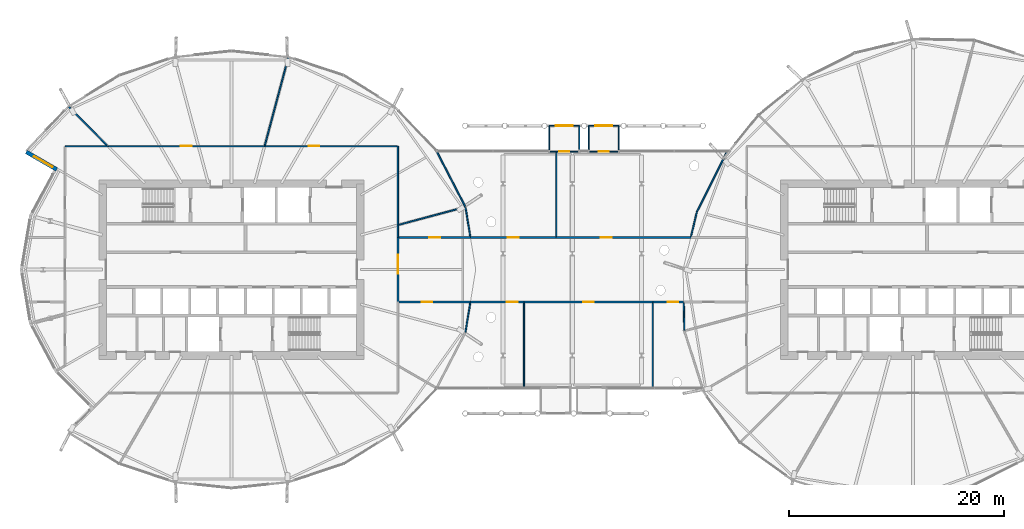
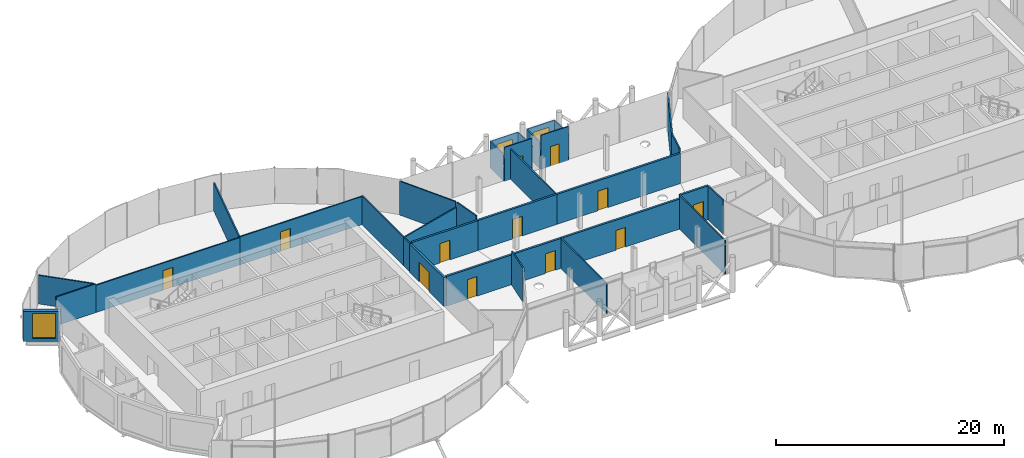
# One storey, part 26 of 40: 34 walls, 12 doors, 3 windows, 15 openings.
"""IFC4 building model written with IfcOpenShell, lengths in metres."""

from ifc_helpers import new_model, si_unit, direction, frame, frame_2d, origin, place, context, subcontext, project, spatial, rectangle, extrude, material, layer, layer_set, type_object, element, fill, save


model = new_model("IFC4")

# Units and contexts
model_context = context("Model", 3, precision=1e-05, world=origin(), true_north=direction((0.0, 1.0)))
body_context = subcontext(model_context, "Body", "Model", "MODEL_VIEW")
ifc_project = project(units=[si_unit("LENGTHUNIT", "METRE"), si_unit("AREAUNIT", "SQUARE_METRE"), si_unit("VOLUMEUNIT", "CUBIC_METRE"), si_unit("PLANEANGLEUNIT", "RADIAN"), si_unit("MASSUNIT", "GRAM", prefix="KILO")], contexts=[model_context])

# Site, building, storey
site_placement = place(None, origin())
site = spatial("IfcSite", under=ifc_project, at=site_placement, CompositionType="ELEMENT")
building_placement = place(site_placement, origin())
building = spatial("IfcBuilding", under=site, at=building_placement, Name="Rimbun Link Towers", CompositionType="ELEMENT")
storey_placement = place(building_placement, frame((0.0, 0.0, 150.60009765625)))
storey = spatial("IfcBuildingStorey", under=building, at=storey_placement, Name="L36", CompositionType="ELEMENT", Elevation=150.60009765625)

# Wall
ifc_material_1 = material(Name="Terracotta-faced insulated sandwich panel", Category="masonry")
ifc_layer_1 = layer(ifc_material_1, 0.10009765625)
ifc_layer_set_1 = layer_set([ifc_layer_1], Name="CAPSULE shell panel 100")
wall_type_1 = type_object("IfcWallType", Name="CAPSULE shell panel 100", PredefinedType="STANDARD", material=ifc_layer_set_1)
wall_1_placement = place(storey_placement, frame((0.646728515625, 11.0, -0.06005859375), z_axis=(0.0, 0.0, 1.0), x_axis=(0.0, 1.0, 0.0)))
element("IfcWall", 1, at=wall_1_placement, inside=storey, type_object=wall_type_1, Name="CAPSULE F36.01 shell panel 1", PredefinedType="STANDARD", context=body_context, shape_type="SweptSolid", body=[
    extrude(rectangle(XDim=2.39990234375, YDim=0.10009765625, at=frame_2d((1.199951171875, 0.0))), origin(), (0.0, 0.0, 1.0), 2.849853515625),
])

# Wall, opening, window
wall_2_placement = place(storey_placement, frame((0.646728515625, 13.39990234375, -0.06005859375), z_axis=(0.0, 0.0, 1.0), x_axis=(-1.0, 0.0, 0.0)))
wall_2 = element("IfcWall", 2, at=wall_2_placement, inside=storey, type_object=wall_type_1, Name="CAPSULE F36.01 shell panel 2", PredefinedType="STANDARD", context=body_context, shape_type="SweptSolid", body=[
    extrude(rectangle(XDim=2.800048828125, YDim=0.10009765625, at=frame_2d((1.39990234375, 0.0))), origin(), (0.0, 0.0, 1.0), 2.849853515625),
])
opening_1_placement = place(wall_2_placement, frame((0.60009765625, 0.0, 0.89990234375)))
opening_1 = element("IfcOpeningElement", 3, at=opening_1_placement, cuts=wall_2, Name="Opening CN36.01", PredefinedType="OPENING", context=body_context, shape_type="SweptSolid", body=[
    extrude(rectangle(XDim=1.60009765625, YDim=1.39990234375, at=frame_2d((0.800048828125, 0.699951171875))), frame((0.0, 0.06005859375, 0.0), z_axis=(0.0, -1.0, 0.0), x_axis=(1.0, 0.0, 0.0)), (0.0, 0.0, 1.0), 0.1201171875),
])
ifc_material_2 = material(Name="Aluminium framed window, low-iron glass", Category="aluminium")
window_type_1 = type_object("IfcWindowType", Name="CAPSULE window 1600X1400", PartitioningType="SINGLE_PANEL", PredefinedType="WINDOW", material=ifc_material_2)
window_1_placement = place(opening_1_placement, origin())
window_1 = element("IfcWindow", 4, at=window_1_placement, inside=storey, type_object=window_type_1, Name="CAPSULE F36.01 window", OverallHeight=1.39990234375, OverallWidth=1.60009765625, PartitioningType="SINGLE_PANEL", PredefinedType="WINDOW", context=body_context, shape_type="SweptSolid", body=[
    extrude(rectangle(XDim=1.60009765625, YDim=1.39990234375, at=frame_2d((0.800048828125, 0.699951171875))), frame((0.0, 0.030029296875, 0.0), z_axis=(0.0, -1.0, 0.0), x_axis=(1.0, 0.0, 0.0)), (0.0, 0.0, 1.0), 0.06005859375),
])
fill(opening_1, window_1)

# Wall
wall_3_placement = place(storey_placement, frame((-2.1533203125, 13.39990234375, -0.06005859375), z_axis=(0.0, 0.0, 1.0), x_axis=(0.0, -1.0, 0.0)))
element("IfcWall", 5, at=wall_3_placement, inside=storey, type_object=wall_type_1, Name="CAPSULE F36.01 shell panel 3", PredefinedType="STANDARD", context=body_context, shape_type="SweptSolid", body=[
    extrude(rectangle(XDim=2.39990234375, YDim=0.10009765625, at=frame_2d((1.199951171875, 0.0))), origin(), (0.0, 0.0, 1.0), 2.849853515625),
])

# Wall, opening, door
wall_4_placement = place(storey_placement, frame((-2.1533203125, 11.0, -0.06005859375), z_axis=(0.0, 0.0, 1.0), x_axis=(1.0, 0.0, 0.0)))
wall_4 = element("IfcWall", 6, at=wall_4_placement, inside=storey, type_object=wall_type_1, Name="CAPSULE F36.01 shell panel 4", PredefinedType="STANDARD", context=body_context, shape_type="SweptSolid", body=[
    extrude(rectangle(XDim=2.800048828125, YDim=0.10009765625, at=frame_2d((1.39990234375, 0.0))), origin(), (0.0, 0.0, 1.0), 3.639892578125),
])
opening_2_placement = place(wall_4_placement, frame((0.949951171875, 0.0, 0.0)))
opening_2 = element("IfcOpeningElement", 7, at=opening_2_placement, cuts=wall_4, Name="Opening CD36.01", PredefinedType="OPENING", context=body_context, shape_type="SweptSolid", body=[
    extrude(rectangle(XDim=0.89990234375, YDim=2.10009765625, at=frame_2d((0.449951171875, 1.050048828125))), frame((0.0, 0.06005859375, 0.0), z_axis=(0.0, -1.0, 0.0), x_axis=(1.0, 0.0, 0.0)), (0.0, 0.0, 1.0), 0.1201171875),
])
ifc_material_3 = material(Name="Aluminium framed insulated door leaf", Category="aluminium")
door_type_1 = type_object("IfcDoorType", Name="CAPSULE door single leaf 900X2100", OperationType="SINGLE_SWING_LEFT", PredefinedType="DOOR", material=ifc_material_3)
door_1_placement = place(opening_2_placement, origin())
door_1 = element("IfcDoor", 8, at=door_1_placement, inside=storey, type_object=door_type_1, Name="CAPSULE F36.01 door", OperationType="SINGLE_SWING_RIGHT", OverallHeight=2.10009765625, OverallWidth=0.89990234375, PredefinedType="DOOR", context=body_context, shape_type="SweptSolid", body=[
    extrude(rectangle(XDim=0.89990234375, YDim=2.10009765625, at=frame_2d((0.449951171875, 1.050048828125))), frame((0.0, 0.02490234375, 0.0), z_axis=(0.0, -1.0, 0.0), x_axis=(1.0, 0.0, 0.0)), (0.0, 0.0, 1.0), 0.050048828125),
])
fill(opening_2, door_1)

# Wall
wall_5_placement = place(storey_placement, frame((4.336669921875, 11.0, -0.06005859375), z_axis=(0.0, 0.0, 1.0), x_axis=(0.0, 1.0, 0.0)))
element("IfcWall", 9, at=wall_5_placement, inside=storey, type_object=wall_type_1, Name="CAPSULE F36.02 shell panel 1", PredefinedType="STANDARD", context=body_context, shape_type="SweptSolid", body=[
    extrude(rectangle(XDim=2.39990234375, YDim=0.10009765625, at=frame_2d((1.199951171875, 0.0))), origin(), (0.0, 0.0, 1.0), 2.849853515625),
])

# Wall, opening, window
wall_6_placement = place(storey_placement, frame((4.336669921875, 13.39990234375, -0.06005859375), z_axis=(0.0, 0.0, 1.0), x_axis=(-1.0, 0.0, 0.0)))
wall_6 = element("IfcWall", 10, at=wall_6_placement, inside=storey, type_object=wall_type_1, Name="CAPSULE F36.02 shell panel 2", PredefinedType="STANDARD", context=body_context, shape_type="SweptSolid", body=[
    extrude(rectangle(XDim=2.7998046875, YDim=0.10009765625, at=frame_2d((1.39990234375, 0.0))), origin(), (0.0, 0.0, 1.0), 2.849853515625),
])
opening_3_placement = place(wall_6_placement, frame((0.60009765625, 0.0, 0.89990234375)))
opening_3 = element("IfcOpeningElement", 11, at=opening_3_placement, cuts=wall_6, Name="Opening CN36.02", PredefinedType="OPENING", context=body_context, shape_type="SweptSolid", body=[
    extrude(rectangle(XDim=1.60009765625, YDim=1.39990234375, at=frame_2d((0.800048828125, 0.699951171875))), frame((0.0, 0.06005859375, 0.0), z_axis=(0.0, -1.0, 0.0), x_axis=(1.0, 0.0, 0.0)), (0.0, 0.0, 1.0), 0.1201171875),
])
window_2_placement = place(opening_3_placement, origin())
window_2 = element("IfcWindow", 12, at=window_2_placement, inside=storey, type_object=window_type_1, Name="CAPSULE F36.02 window", OverallHeight=1.39990234375, OverallWidth=1.60009765625, PartitioningType="SINGLE_PANEL", PredefinedType="WINDOW", context=body_context, shape_type="SweptSolid", body=[
    extrude(rectangle(XDim=1.60009765625, YDim=1.39990234375, at=frame_2d((0.800048828125, 0.699951171875))), frame((0.0, 0.030029296875, 0.0), z_axis=(0.0, -1.0, 0.0), x_axis=(1.0, 0.0, 0.0)), (0.0, 0.0, 1.0), 0.06005859375),
])
fill(opening_3, window_2)

# Wall
wall_7_placement = place(storey_placement, frame((1.536865234375, 13.39990234375, -0.06005859375), z_axis=(0.0, 0.0, 1.0), x_axis=(0.0, -1.0, 0.0)))
element("IfcWall", 13, at=wall_7_placement, inside=storey, type_object=wall_type_1, Name="CAPSULE F36.02 shell panel 3", PredefinedType="STANDARD", context=body_context, shape_type="SweptSolid", body=[
    extrude(rectangle(XDim=2.39990234375, YDim=0.10009765625, at=frame_2d((1.199951171875, 0.0))), origin(), (0.0, 0.0, 1.0), 2.849853515625),
])

# Wall, opening, door
wall_8_placement = place(storey_placement, frame((1.536865234375, 11.0, -0.06005859375), z_axis=(0.0, 0.0, 1.0), x_axis=(1.0, 0.0, 0.0)))
wall_8 = element("IfcWall", 14, at=wall_8_placement, inside=storey, type_object=wall_type_1, Name="CAPSULE F36.02 shell panel 4", PredefinedType="STANDARD", context=body_context, shape_type="SweptSolid", body=[
    extrude(rectangle(XDim=2.7998046875, YDim=0.10009765625, at=frame_2d((1.39990234375, 0.0))), origin(), (0.0, 0.0, 1.0), 3.639892578125),
])
opening_4_placement = place(wall_8_placement, frame((0.949951171875, 0.0, 0.0)))
opening_4 = element("IfcOpeningElement", 15, at=opening_4_placement, cuts=wall_8, Name="Opening CD36.02", PredefinedType="OPENING", context=body_context, shape_type="SweptSolid", body=[
    extrude(rectangle(XDim=0.89990234375, YDim=2.10009765625, at=frame_2d((0.449951171875, 1.050048828125))), frame((0.0, 0.06005859375, 0.0), z_axis=(0.0, -1.0, 0.0), x_axis=(1.0, 0.0, 0.0)), (0.0, 0.0, 1.0), 0.1201171875),
])
door_2_placement = place(opening_4_placement, origin())
door_2 = element("IfcDoor", 16, at=door_2_placement, inside=storey, type_object=door_type_1, Name="CAPSULE F36.02 door", OperationType="SINGLE_SWING_LEFT", OverallHeight=2.10009765625, OverallWidth=0.89990234375, PredefinedType="DOOR", context=body_context, shape_type="SweptSolid", body=[
    extrude(rectangle(XDim=0.89990234375, YDim=2.10009765625, at=frame_2d((0.449951171875, 1.050048828125))), frame((0.0, 0.02490234375, 0.0), z_axis=(0.0, -1.0, 0.0), x_axis=(1.0, 0.0, 0.0)), (0.0, 0.0, 1.0), 0.050048828125),
])
fill(opening_4, door_2)

# Wall, opening, window
ifc_material_4 = material(Name="Dark enamelled glass spandrel on insulated aluminium backpan", Category="aluminium")
ifc_layer_2 = layer(ifc_material_4, 0.3701171875)
ifc_layer_set_2 = layer_set([ifc_layer_2], Name="CS dark enamelled spandrel wall 370")
wall_type_2 = type_object("IfcWallType", Name="CS dark enamelled spandrel wall 370", PredefinedType="STANDARD", material=ifc_layer_set_2)
wall_9_placement = place(storey_placement, frame((-48.031494140625, 9.324951171875, 0.0), z_axis=(0.0, 0.0, 1.0), x_axis=(-0.866008333849, 0.50002956483, 0.0)))
wall_9 = element("IfcWall", 17, at=wall_9_placement, inside=storey, type_object=wall_type_2, Name="Crease spandrel wall", PredefinedType="STANDARD", context=body_context, shape_type="SweptSolid", body=[
    extrude(rectangle(XDim=3.280029296875, YDim=0.3701171875, at=frame_2d((1.64013671875, 0.0))), origin(), (0.0, 0.0, 1.0), 3.20361328125),
])
opening_5_placement = place(wall_9_placement, frame((0.46240234375, 0.0, 0.300048828125)))
opening_5 = element("IfcOpeningElement", 18, at=opening_5_placement, cuts=wall_9, Name="Opening WR20H270", PredefinedType="OPENING", context=body_context, shape_type="SweptSolid", body=[
    extrude(rectangle(XDim=2.0, YDim=2.699951171875, at=frame_2d((1.0, 1.35009765625))), frame((0.0, 0.195068359375, 0.0), z_axis=(0.0, -1.0, 0.0), x_axis=(1.0, 0.0, 0.0)), (0.0, 0.0, 1.0), 0.39013671875),
])
ifc_material_5 = material(Name="Aluminium framed fixed window, dark tinted low-e glass", Category="aluminium")
window_type_2 = type_object("IfcWindowType", Name="WR ribbon window 2000X2700", PartitioningType="SINGLE_PANEL", PredefinedType="WINDOW", material=ifc_material_5)
window_3_placement = place(opening_5_placement, origin())
window_3 = element("IfcWindow", 19, at=window_3_placement, inside=storey, type_object=window_type_2, Name="Crease ribbon window", OverallHeight=2.699951171875, OverallWidth=2.0, PartitioningType="SINGLE_PANEL", PredefinedType="WINDOW", context=body_context, shape_type="SweptSolid", body=[
    extrude(rectangle(XDim=2.0, YDim=2.699951171875, at=frame_2d((1.0, 1.35009765625))), frame((0.0, 0.030029296875, 0.0), z_axis=(0.0, -1.0, 0.0), x_axis=(1.0, 0.0, 0.0)), (0.0, 0.0, 1.0), 0.06005859375),
])
fill(opening_5, window_3)

# Wall, opening, door
ifc_material_6 = material(Name="Concrete blockwork", Category="masonry")
ifc_layer_3 = layer(ifc_material_6, 0.199951171875)
ifc_layer_set_3 = layer_set([ifc_layer_3], Name="Fire partition 200 blockwork")
wall_type_3 = type_object("IfcWallType", Name="Fire partition 200 blockwork", PredefinedType="PARTITIONING", material=ifc_layer_set_3)
wall_10_placement = place(storey_placement, frame((-1.5, 3.0, 0.0), z_axis=(0.0, 0.0, 1.0), x_axis=(-1.0, 0.0, 0.0)))
wall_10 = element("IfcWall", 20, at=wall_10_placement, inside=storey, type_object=wall_type_3, Name="TW/PW/L36/001", PredefinedType="PARTITIONING", context=body_context, shape_type="SweptSolid", body=[
    extrude(rectangle(XDim=7.98974609375, YDim=0.199951171875, at=frame_2d((3.994873046875, 0.0))), origin(), (0.0, 0.0, 1.0), 3.2138671875),
])
opening_6_placement = place(wall_10_placement, frame((3.4951171875, 0.0, 0.0)))
opening_6 = element("IfcOpeningElement", 21, at=opening_6_placement, cuts=wall_10, Name="Opening TW D36.19", PredefinedType="OPENING", context=body_context, shape_type="SweptSolid", body=[
    extrude(rectangle(XDim=1.0, YDim=2.10009765625, at=frame_2d((0.5, 1.050048828125))), frame((0.0, 0.10986328125, 0.0), z_axis=(0.0, -1.0, 0.0), x_axis=(1.0, 0.0, 0.0)), (0.0, 0.0, 1.0), 0.219970703125),
])
ifc_material_7 = material(Name="Steel fire door set", Category="steel")
door_type_2 = type_object("IfcDoorType", Name="Fire door single leaf 1000 x 2100", OperationType="NOTDEFINED", PredefinedType="DOOR", material=ifc_material_7)
door_3_placement = place(opening_6_placement, origin())
door_3 = element("IfcDoor", 22, at=door_3_placement, inside=storey, type_object=door_type_2, Name="TW/DR/L36/019", OperationType="SINGLE_SWING_RIGHT", OverallHeight=2.10009765625, OverallWidth=1.0, PredefinedType="DOOR", context=body_context, shape_type="SweptSolid", body=[
    extrude(rectangle(XDim=1.0, YDim=2.10009765625, at=frame_2d((0.5, 1.050048828125))), frame((0.0, 0.02490234375, 0.0), z_axis=(0.0, -1.0, 0.0), x_axis=(1.0, 0.0, 0.0)), (0.0, 0.0, 1.0), 0.050048828125),
])
fill(opening_6, door_3)

wall_11_placement = place(storey_placement, frame((11.0361328125, 3.0, 0.0), z_axis=(0.0, 0.0, 1.0), x_axis=(-1.0, 0.0, 0.0)))
wall_11 = element("IfcWall", 23, at=wall_11_placement, inside=storey, type_object=wall_type_3, Name="TW/PW/L36/002", PredefinedType="PARTITIONING", context=body_context, shape_type="SweptSolid", body=[
    extrude(rectangle(XDim=12.5361328125, YDim=0.199951171875, at=frame_2d((6.26806640625, 0.0))), origin(), (0.0, 0.0, 1.0), 3.2138671875),
])
opening_7_placement = place(wall_11_placement, frame((7.364013671875, 0.0, 0.0)))
opening_7 = element("IfcOpeningElement", 24, at=opening_7_placement, cuts=wall_11, Name="Opening TW D36.20", PredefinedType="OPENING", context=body_context, shape_type="SweptSolid", body=[
    extrude(rectangle(XDim=1.0, YDim=2.10009765625, at=frame_2d((0.5, 1.050048828125))), frame((0.0, 0.10986328125, 0.0), z_axis=(0.0, -1.0, 0.0), x_axis=(1.0, 0.0, 0.0)), (0.0, 0.0, 1.0), 0.219970703125),
])
door_4_placement = place(opening_7_placement, origin())
door_4 = element("IfcDoor", 25, at=door_4_placement, inside=storey, type_object=door_type_2, Name="TW/DR/L36/020", OperationType="SINGLE_SWING_LEFT", OverallHeight=2.10009765625, OverallWidth=1.0, PredefinedType="DOOR", context=body_context, shape_type="SweptSolid", body=[
    extrude(rectangle(XDim=1.0, YDim=2.10009765625, at=frame_2d((0.5, 1.050048828125))), frame((0.0, 0.02490234375, 0.0), z_axis=(0.0, -1.0, 0.0), x_axis=(1.0, 0.0, 0.0)), (0.0, 0.0, 1.0), 0.050048828125),
])
fill(opening_7, door_4)

wall_12_placement = place(storey_placement, frame((-9.48974609375, -3.0, 0.0), z_axis=(0.0, 0.0, 1.0), x_axis=(1.0, 0.0, 0.0)))
wall_12 = element("IfcWall", 26, at=wall_12_placement, inside=storey, type_object=wall_type_3, Name="TW/PW/L36/003", PredefinedType="PARTITIONING", context=body_context, shape_type="SweptSolid", body=[
    extrude(rectangle(XDim=4.98974609375, YDim=0.199951171875, at=frame_2d((2.494873046875, 0.0))), origin(), (0.0, 0.0, 1.0), 3.2138671875),
])
opening_8_placement = place(wall_12_placement, frame((3.385009765625, 0.0, 0.0)))
opening_8 = element("IfcOpeningElement", 27, at=opening_8_placement, cuts=wall_12, Name="Opening TW D36.21", PredefinedType="OPENING", context=body_context, shape_type="SweptSolid", body=[
    extrude(rectangle(XDim=1.0, YDim=2.10009765625, at=frame_2d((0.5, 1.050048828125))), frame((0.0, 0.10986328125, 0.0), z_axis=(0.0, -1.0, 0.0), x_axis=(1.0, 0.0, 0.0)), (0.0, 0.0, 1.0), 0.219970703125),
])
door_5_placement = place(opening_8_placement, origin())
door_5 = element("IfcDoor", 28, at=door_5_placement, inside=storey, type_object=door_type_2, Name="TW/DR/L36/021", OperationType="SINGLE_SWING_RIGHT", OverallHeight=2.10009765625, OverallWidth=1.0, PredefinedType="DOOR", context=body_context, shape_type="SweptSolid", body=[
    extrude(rectangle(XDim=1.0, YDim=2.10009765625, at=frame_2d((0.5, 1.050048828125))), frame((0.0, 0.02490234375, 0.0), z_axis=(0.0, -1.0, 0.0), x_axis=(1.0, 0.0, 0.0)), (0.0, 0.0, 1.0), 0.050048828125),
])
fill(opening_8, door_5)

wall_13_placement = place(storey_placement, frame((-4.5, -3.0, 0.0), z_axis=(0.0, 0.0, 1.0), x_axis=(1.0, 0.0, 0.0)))
wall_13 = element("IfcWall", 29, at=wall_13_placement, inside=storey, type_object=wall_type_3, Name="TW/PW/L36/004", PredefinedType="PARTITIONING", context=body_context, shape_type="SweptSolid", body=[
    extrude(rectangle(XDim=12.0, YDim=0.199951171875, at=frame_2d((6.0, 0.0))), origin(), (0.0, 0.0, 1.0), 3.2138671875),
])
opening_9_placement = place(wall_13_placement, frame((5.5, 0.0, 0.0)))
opening_9 = element("IfcOpeningElement", 30, at=opening_9_placement, cuts=wall_13, Name="Opening TW D36.22", PredefinedType="OPENING", context=body_context, shape_type="SweptSolid", body=[
    extrude(rectangle(XDim=1.0, YDim=2.10009765625, at=frame_2d((0.5, 1.050048828125))), frame((0.0, 0.10986328125, 0.0), z_axis=(0.0, -1.0, 0.0), x_axis=(1.0, 0.0, 0.0)), (0.0, 0.0, 1.0), 0.219970703125),
])
door_6_placement = place(opening_9_placement, origin())
door_6 = element("IfcDoor", 31, at=door_6_placement, inside=storey, type_object=door_type_2, Name="TW/DR/L36/022", OperationType="SINGLE_SWING_LEFT", OverallHeight=2.10009765625, OverallWidth=1.0, PredefinedType="DOOR", context=body_context, shape_type="SweptSolid", body=[
    extrude(rectangle(XDim=1.0, YDim=2.10009765625, at=frame_2d((0.5, 1.050048828125))), frame((0.0, 0.02490234375, 0.0), z_axis=(0.0, -1.0, 0.0), x_axis=(1.0, 0.0, 0.0)), (0.0, 0.0, 1.0), 0.050048828125),
])
fill(opening_9, door_6)

wall_14_placement = place(storey_placement, frame((7.5, -3.0, 0.0), z_axis=(0.0, 0.0, 1.0), x_axis=(1.0, 0.0, 0.0)))
wall_14 = element("IfcWall", 32, at=wall_14_placement, inside=storey, type_object=wall_type_3, Name="TW/PW/L36/005", PredefinedType="PARTITIONING", context=body_context, shape_type="SweptSolid", body=[
    extrude(rectangle(XDim=2.882080078125, YDim=0.199951171875, at=frame_2d((1.44091796875, 0.0))), origin(), (0.0, 0.0, 1.0), 3.619873046875),
])
opening_10_placement = place(wall_14_placement, frame((1.383056640625, 0.0, 0.0)))
opening_10 = element("IfcOpeningElement", 33, at=opening_10_placement, cuts=wall_14, Name="Opening TW D36.23", PredefinedType="OPENING", context=body_context, shape_type="SweptSolid", body=[
    extrude(rectangle(XDim=1.0, YDim=2.10009765625, at=frame_2d((0.5, 1.050048828125))), frame((0.0, 0.10986328125, 0.0), z_axis=(0.0, -1.0, 0.0), x_axis=(1.0, 0.0, 0.0)), (0.0, 0.0, 1.0), 0.219970703125),
])
door_7_placement = place(opening_10_placement, origin())
door_7 = element("IfcDoor", 34, at=door_7_placement, inside=storey, type_object=door_type_2, Name="TW/DR/L36/023", OperationType="SINGLE_SWING_RIGHT", OverallHeight=2.10009765625, OverallWidth=1.0, PredefinedType="DOOR", context=body_context, shape_type="SweptSolid", body=[
    extrude(rectangle(XDim=1.0, YDim=2.10009765625, at=frame_2d((0.5, 1.050048828125))), frame((0.0, 0.02490234375, 0.0), z_axis=(0.0, -1.0, 0.0), x_axis=(1.0, 0.0, 0.0)), (0.0, 0.0, 1.0), 0.050048828125),
])
fill(opening_10, door_7)

wall_15_placement = place(storey_placement, frame((-16.25, -3.0, 0.0), z_axis=(0.0, 0.0, 1.0), x_axis=(0.0, 1.0, 0.0)))
wall_15 = element("IfcWall", 35, at=wall_15_placement, inside=storey, type_object=wall_type_3, Name="TW/PW/L36/006", PredefinedType="PARTITIONING", context=body_context, shape_type="SweptSolid", body=[
    extrude(rectangle(XDim=6.0, YDim=0.199951171875, at=frame_2d((3.0, 0.0))), origin(), (0.0, 0.0, 1.0), 3.06689453125),
])
opening_11_placement = place(wall_15_placement, frame((2.594970703125, 0.0, 0.0)))
opening_11 = element("IfcOpeningElement", 36, at=opening_11_placement, cuts=wall_15, Name="Opening TW D36.24", PredefinedType="OPENING", context=body_context, shape_type="SweptSolid", body=[
    extrude(rectangle(XDim=1.800048828125, YDim=2.10009765625, at=frame_2d((0.89990234375, 1.050048828125))), frame((0.0, 0.10986328125, 0.0), z_axis=(0.0, -1.0, 0.0), x_axis=(1.0, 0.0, 0.0)), (0.0, 0.0, 1.0), 0.219970703125),
])
ifc_material_8 = material(Name="Steel fire door set", Category="steel")
door_type_3 = type_object("IfcDoorType", Name="Fire door double leaf 1800 x 2100", OperationType="NOTDEFINED", PredefinedType="DOOR", material=ifc_material_8)
door_8_placement = place(opening_11_placement, origin())
door_8 = element("IfcDoor", 37, at=door_8_placement, inside=storey, type_object=door_type_3, Name="TW/DR/L36/024", OperationType="DOUBLE_DOOR_SINGLE_SWING", OverallHeight=2.10009765625, OverallWidth=1.800048828125, PredefinedType="DOOR", context=body_context, shape_type="SweptSolid", body=[
    extrude(rectangle(XDim=1.800048828125, YDim=2.10009765625, at=frame_2d((0.89990234375, 1.050048828125))), frame((0.0, 0.02490234375, 0.0), z_axis=(0.0, -1.0, 0.0), x_axis=(1.0, 0.0, 0.0)), (0.0, 0.0, 1.0), 0.050048828125),
])
fill(opening_11, door_8)

wall_16_placement = place(storey_placement, frame((-9.48974609375, 3.0, 0.0), z_axis=(0.0, 0.0, 1.0), x_axis=(-1.0, 0.0, 0.0)))
wall_16 = element("IfcWall", 38, at=wall_16_placement, inside=storey, type_object=wall_type_3, Name="TW/PW/L36/022", PredefinedType="PARTITIONING", context=body_context, shape_type="SweptSolid", body=[
    extrude(rectangle(XDim=6.66015625, YDim=0.199951171875, at=frame_2d((3.330078125, 0.0))), origin(), (0.0, 0.0, 1.0), 3.19384765625),
])
opening_12_placement = place(wall_16_placement, frame((2.830078125, 0.0, 0.0)))
opening_12 = element("IfcOpeningElement", 39, at=opening_12_placement, cuts=wall_16, Name="Opening TW D36.04", PredefinedType="OPENING", context=body_context, shape_type="SweptSolid", body=[
    extrude(rectangle(XDim=1.0, YDim=2.10009765625, at=frame_2d((0.5, 1.050048828125))), frame((0.0, 0.10986328125, 0.0), z_axis=(0.0, -1.0, 0.0), x_axis=(1.0, 0.0, 0.0)), (0.0, 0.0, 1.0), 0.219970703125),
])
door_9_placement = place(opening_12_placement, origin())
door_9 = element("IfcDoor", 40, at=door_9_placement, inside=storey, type_object=door_type_2, Name="TW/DR/L36/004", OperationType="SINGLE_SWING_LEFT", OverallHeight=2.10009765625, OverallWidth=1.0, PredefinedType="DOOR", context=body_context, shape_type="SweptSolid", body=[
    extrude(rectangle(XDim=1.0, YDim=2.10009765625, at=frame_2d((0.5, 1.050048828125))), frame((0.0, 0.02490234375, 0.0), z_axis=(0.0, -1.0, 0.0), x_axis=(1.0, 0.0, 0.0)), (0.0, 0.0, 1.0), 0.050048828125),
])
fill(opening_12, door_9)

wall_17_placement = place(storey_placement, frame((-16.14990234375, -3.0, 0.0), z_axis=(0.0, 0.0, 1.0), x_axis=(1.0, 0.0, 0.0)))
wall_17 = element("IfcWall", 41, at=wall_17_placement, inside=storey, type_object=wall_type_3, Name="TW/PW/L36/023", PredefinedType="PARTITIONING", context=body_context, shape_type="SweptSolid", body=[
    extrude(rectangle(XDim=6.66015625, YDim=0.199951171875, at=frame_2d((3.330078125, 0.0))), origin(), (0.0, 0.0, 1.0), 3.19384765625),
])
opening_13_placement = place(wall_17_placement, frame((2.115966796875, 0.0, 0.0)))
opening_13 = element("IfcOpeningElement", 42, at=opening_13_placement, cuts=wall_17, Name="Opening TW D36.05", PredefinedType="OPENING", context=body_context, shape_type="SweptSolid", body=[
    extrude(rectangle(XDim=1.0, YDim=2.10009765625, at=frame_2d((0.5, 1.050048828125))), frame((0.0, 0.10986328125, 0.0), z_axis=(0.0, -1.0, 0.0), x_axis=(1.0, 0.0, 0.0)), (0.0, 0.0, 1.0), 0.219970703125),
])
door_10_placement = place(opening_13_placement, origin())
door_10 = element("IfcDoor", 43, at=door_10_placement, inside=storey, type_object=door_type_2, Name="TW/DR/L36/005", OperationType="SINGLE_SWING_RIGHT", OverallHeight=2.10009765625, OverallWidth=1.0, PredefinedType="DOOR", context=body_context, shape_type="SweptSolid", body=[
    extrude(rectangle(XDim=1.0, YDim=2.10009765625, at=frame_2d((0.5, 1.050048828125))), frame((0.0, 0.02490234375, 0.0), z_axis=(0.0, -1.0, 0.0), x_axis=(1.0, 0.0, 0.0)), (0.0, 0.0, 1.0), 0.050048828125),
])
fill(opening_13, door_10)

# Walls
ifc_material_9 = material(Name="Gypsum board on steel studs", Category="steel")
ifc_layer_4 = layer(ifc_material_9, 0.125)
ifc_layer_set_4 = layer_set([ifc_layer_4], Name="Partition 125 board on studs")
wall_type_4 = type_object("IfcWallType", Name="Partition 125 board on studs", PredefinedType="PARTITIONING", material=ifc_layer_set_4)
wall_18_placement = place(storey_placement, frame((-16.25, 3.0, 0.0), z_axis=(0.0, 0.0, 1.0), x_axis=(0.0, 1.0, 0.0)))
element("IfcWall", 44, at=wall_18_placement, inside=storey, type_object=wall_type_4, Name="TW/PW/L36/014", PredefinedType="PARTITIONING", context=body_context, shape_type="SweptSolid", body=[
    extrude(rectangle(XDim=1.1533203125, YDim=0.125, at=frame_2d((0.57666015625, 0.0))), origin(), (0.0, 0.0, 1.0), 3.06689453125),
])
wall_19_placement = place(storey_placement, frame((-16.25, 4.1533203125, 0.0), z_axis=(0.0, 0.0, 1.0), x_axis=(0.0, 1.0, 0.0)))
element("IfcWall", 45, at=wall_19_placement, inside=storey, type_object=wall_type_4, Name="TW/PW/L36/016", PredefinedType="PARTITIONING", context=body_context, shape_type="SweptSolid", body=[
    extrude(rectangle(XDim=7.3466796875, YDim=0.125, at=frame_2d((3.67333984375, 0.0))), origin(), (0.0, 0.0, 1.0), 3.06689453125),
])

# Wall, opening, door
wall_20_placement = place(storey_placement, frame((-16.3125, 11.5, 0.0), z_axis=(0.0, 0.0, 1.0), x_axis=(-1.0, 0.0, 0.0)))
wall_20 = element("IfcWall", 46, at=wall_20_placement, inside=storey, type_object=wall_type_4, Name="TW/PW/L36/017", PredefinedType="PARTITIONING", context=body_context, shape_type="SweptSolid", body=[
    extrude(rectangle(XDim=12.356201171875, YDim=0.125, at=frame_2d((6.17822265625, 0.0))), origin(), (0.0, 0.0, 1.0), 2.996826171875),
])
opening_14_placement = place(wall_20_placement, frame((7.24609375, 0.0, 0.0)))
opening_14 = element("IfcOpeningElement", 47, at=opening_14_placement, cuts=wall_20, Name="Opening TW D36.06", PredefinedType="OPENING", context=body_context, shape_type="SweptSolid", body=[
    extrude(rectangle(XDim=1.0, YDim=2.10009765625, at=frame_2d((0.5, 1.050048828125))), frame((0.0, 0.072509765625, 0.0), z_axis=(0.0, -1.0, 0.0), x_axis=(1.0, 0.0, 0.0)), (0.0, 0.0, 1.0), 0.14501953125),
])
ifc_material_10 = material(Name="Timber door set", Category="wood")
door_type_4 = type_object("IfcDoorType", Name="Door single leaf 1000 x 2100", OperationType="NOTDEFINED", PredefinedType="DOOR", material=ifc_material_10)
door_11_placement = place(opening_14_placement, origin())
door_11 = element("IfcDoor", 48, at=door_11_placement, inside=storey, type_object=door_type_4, Name="TW/DR/L36/006", OperationType="SINGLE_SWING_LEFT", OverallHeight=2.10009765625, OverallWidth=1.0, PredefinedType="DOOR", context=body_context, shape_type="SweptSolid", body=[
    extrude(rectangle(XDim=1.0, YDim=2.10009765625, at=frame_2d((0.5, 1.050048828125))), frame((0.0, 0.02490234375, 0.0), z_axis=(0.0, -1.0, 0.0), x_axis=(1.0, 0.0, 0.0)), (0.0, 0.0, 1.0), 0.050048828125),
])
fill(opening_14, door_11)

wall_21_placement = place(storey_placement, frame((-28.668701171875, 11.5, 0.0), z_axis=(0.0, 0.0, 1.0), x_axis=(-1.0, 0.0, 0.0)))
wall_21 = element("IfcWall", 49, at=wall_21_placement, inside=storey, type_object=wall_type_4, Name="TW/PW/L36/018", PredefinedType="PARTITIONING", context=body_context, shape_type="SweptSolid", body=[
    extrude(rectangle(XDim=14.581298828125, YDim=0.125, at=frame_2d((7.29052734375, 0.0))), origin(), (0.0, 0.0, 1.0), 2.9169921875),
])
opening_15_placement = place(wall_21_placement, frame((6.791015625, 0.0, 0.0)))
opening_15 = element("IfcOpeningElement", 50, at=opening_15_placement, cuts=wall_21, Name="Opening TW D36.07", PredefinedType="OPENING", context=body_context, shape_type="SweptSolid", body=[
    extrude(rectangle(XDim=1.0, YDim=2.10009765625, at=frame_2d((0.5, 1.050048828125))), frame((0.0, 0.072509765625, 0.0), z_axis=(0.0, -1.0, 0.0), x_axis=(1.0, 0.0, 0.0)), (0.0, 0.0, 1.0), 0.14501953125),
])
door_12_placement = place(opening_15_placement, origin())
door_12 = element("IfcDoor", 51, at=door_12_placement, inside=storey, type_object=door_type_4, Name="TW/DR/L36/007", OperationType="SINGLE_SWING_RIGHT", OverallHeight=2.10009765625, OverallWidth=1.0, PredefinedType="DOOR", context=body_context, shape_type="SweptSolid", body=[
    extrude(rectangle(XDim=1.0, YDim=2.10009765625, at=frame_2d((0.5, 1.050048828125))), frame((0.0, 0.02490234375, 0.0), z_axis=(0.0, -1.0, 0.0), x_axis=(1.0, 0.0, 0.0)), (0.0, 0.0, 1.0), 0.050048828125),
])
fill(opening_15, door_12)

# Walls
wall_22_placement = place(storey_placement, frame((-43.25, 11.5, 0.0), z_axis=(0.0, 0.0, 1.0), x_axis=(-1.0, 0.0, 0.0)))
element("IfcWall", 52, at=wall_22_placement, inside=storey, type_object=wall_type_4, Name="TW/PW/L36/020", PredefinedType="PARTITIONING", context=body_context, shape_type="SweptSolid", body=[
    extrude(rectangle(XDim=4.0, YDim=0.125, at=frame_2d((2.0, 0.0))), origin(), (0.0, 0.0, 1.0), 3.06689453125),
])
wall_23_placement = place(storey_placement, frame((-9.956787109375, 5.839599609375, 0.0), z_axis=(0.0, 0.0, 1.0), x_axis=(-0.96592247454, -0.258831553677, 0.0)))
element("IfcWall", 53, at=wall_23_placement, inside=storey, type_object=wall_type_4, Name="TW/PW/L36/029", PredefinedType="PARTITIONING", context=body_context, shape_type="SweptSolid", body=[
    extrude(rectangle(XDim=6.433837890625, YDim=0.125, at=frame_2d((3.216796875, 0.0))), origin(), (0.0, 0.0, 1.0), 3.06689453125),
])
wall_24_placement = place(storey_placement, frame((-9.508056640625, 3.110107421875, 0.0), z_axis=(0.0, 0.0, 1.0), x_axis=(-0.162211429782, 0.986756024582, 0.0)))
element("IfcWall", 54, at=wall_24_placement, inside=storey, type_object=wall_type_4, Name="TW/PW/L36/030", PredefinedType="PARTITIONING", context=body_context, shape_type="SweptSolid", body=[
    extrude(rectangle(XDim=2.697021484375, YDim=0.125, at=frame_2d((1.3486328125, 0.0))), origin(), (0.0, 0.0, 1.0), 3.619873046875),
])
wall_25_placement = place(storey_placement, frame((-9.95361328125, -5.81982421875, 0.0), z_axis=(0.0, 0.0, 1.0), x_axis=(0.162250475655, 0.986749605092, 0.0)))
element("IfcWall", 55, at=wall_25_placement, inside=storey, type_object=wall_type_4, Name="TW/PW/L36/032", PredefinedType="PARTITIONING", context=body_context, shape_type="SweptSolid", body=[
    extrude(rectangle(XDim=2.74609375, YDim=0.125, at=frame_2d((1.373046875, 0.0))), origin(), (0.0, 0.0, 1.0), 3.619873046875),
])
wall_26_placement = place(storey_placement, frame((-26.435302734375, 19.835205078125, 0.0), z_axis=(0.0, 0.0, 1.0), x_axis=(-0.258798426051, -0.965931350911, 0.0)))
element("IfcWall", 56, at=wall_26_placement, inside=storey, type_object=wall_type_4, Name="TW/PW/L36/033", PredefinedType="PARTITIONING", context=body_context, shape_type="SweptSolid", body=[
    extrude(rectangle(XDim=8.5478515625, YDim=0.125, at=frame_2d((4.27392578125, 0.0))), origin(), (0.0, 0.0, 1.0), 2.996826171875),
])
wall_27_placement = place(storey_placement, frame((-9.991455078125, 5.906494140625, 0.0), z_axis=(0.0, 0.0, 1.0), x_axis=(-0.459564542477, 0.888144375256, 0.0)))
element("IfcWall", 57, at=wall_27_placement, inside=storey, type_object=wall_type_4, Name="TW/PW/L36/034", PredefinedType="PARTITIONING", context=body_context, shape_type="SweptSolid", body=[
    extrude(rectangle(XDim=5.81494140625, YDim=0.125, at=frame_2d((2.907470703125, 0.0))), origin(), (0.0, 0.0, 1.0), 3.619873046875),
])
wall_28_placement = place(storey_placement, frame((-46.904296875, 15.154296875, 0.0), z_axis=(0.0, 0.0, 1.0), x_axis=(0.707106781187, -0.707106781187, 0.0)))
element("IfcWall", 58, at=wall_28_placement, inside=storey, type_object=wall_type_4, Name="TW/PW/L36/035", PredefinedType="PARTITIONING", context=body_context, shape_type="SweptSolid", body=[
    extrude(rectangle(XDim=5.01708984375, YDim=0.125, at=frame_2d((2.508544921875, 0.0))), origin(), (0.0, 0.0, 1.0), 3.06689453125),
])
wall_29_placement = place(storey_placement, frame((10.384033203125, -3.101318359375, 0.0), z_axis=(0.0, 0.0, 1.0), x_axis=(0.021134274665, -0.999776646274, 0.0)))
element("IfcWall", 59, at=wall_29_placement, inside=storey, type_object=wall_type_4, Name="TW/PW/L36/061", PredefinedType="PARTITIONING", context=body_context, shape_type="SweptSolid", body=[
    extrude(rectangle(XDim=2.52978515625, YDim=0.125, at=frame_2d((1.264892578125, 0.0))), origin(), (0.0, 0.0, 1.0), 3.619873046875),
])
wall_30_placement = place(storey_placement, frame((14.459228515625, 11.071533203125, 0.0), z_axis=(0.0, 0.0, 1.0), x_axis=(-0.448781509289, -0.89364151477, 0.0)))
element("IfcWall", 60, at=wall_30_placement, inside=storey, type_object=wall_type_4, Name="TW/PW/L36/063", PredefinedType="PARTITIONING", context=body_context, shape_type="SweptSolid", body=[
    extrude(rectangle(XDim=6.35009765625, YDim=0.125, at=frame_2d((3.175048828125, 0.0))), origin(), (0.0, 0.0, 1.0), 3.619873046875),
])
wall_31_placement = place(storey_placement, frame((11.609375, 5.396728515625, 0.0), z_axis=(0.0, 0.0, 1.0), x_axis=(-0.232534702943, -0.972588099828, 0.0)))
element("IfcWall", 61, at=wall_31_placement, inside=storey, type_object=wall_type_4, Name="TW/PW/L36/064", PredefinedType="PARTITIONING", context=body_context, shape_type="SweptSolid", body=[
    extrude(rectangle(XDim=2.346435546875, YDim=0.125, at=frame_2d((1.17333984375, 0.0))), origin(), (0.0, 0.0, 1.0), 3.619873046875),
])
for number, where, z_axis, x_axis, name in (
    (62, (-1.5, 3.10009765625, 0.0), (0.0, 0.0, 1.0), (0.0, 1.0, 0.0), "TW/PW/L36/065"),
    (63, (-4.5, -11.080078125, 0.0), (0.0, 0.0, 1.0), (0.0, 1.0, 0.0), "TW/PW/L36/066"),
):
    element("IfcWall", number, at=place(storey_placement, frame(where, z_axis=z_axis, x_axis=x_axis)), inside=storey, type_object=wall_type_4, Name=name, PredefinedType="PARTITIONING", context=body_context, shape_type="SweptSolid", body=[
        extrude(rectangle(XDim=7.97998046875, YDim=0.125, at=frame_2d((3.989990234375, 0.0))), origin(), (0.0, 0.0, 1.0), 3.2138671875),
    ])
wall_32_placement = place(storey_placement, frame((7.5, -11.080078125, 0.0), z_axis=(0.0, 0.0, 1.0), x_axis=(0.0, 1.0, 0.0)))
element("IfcWall", 64, at=wall_32_placement, inside=storey, type_object=wall_type_4, Name="TW/PW/L36/067", PredefinedType="PARTITIONING", context=body_context, shape_type="SweptSolid", body=[
    extrude(rectangle(XDim=7.97998046875, YDim=0.125, at=frame_2d((3.989990234375, 0.0))), origin(), (0.0, 0.0, 1.0), 3.619873046875),
])

save(model, "model.ifc")
